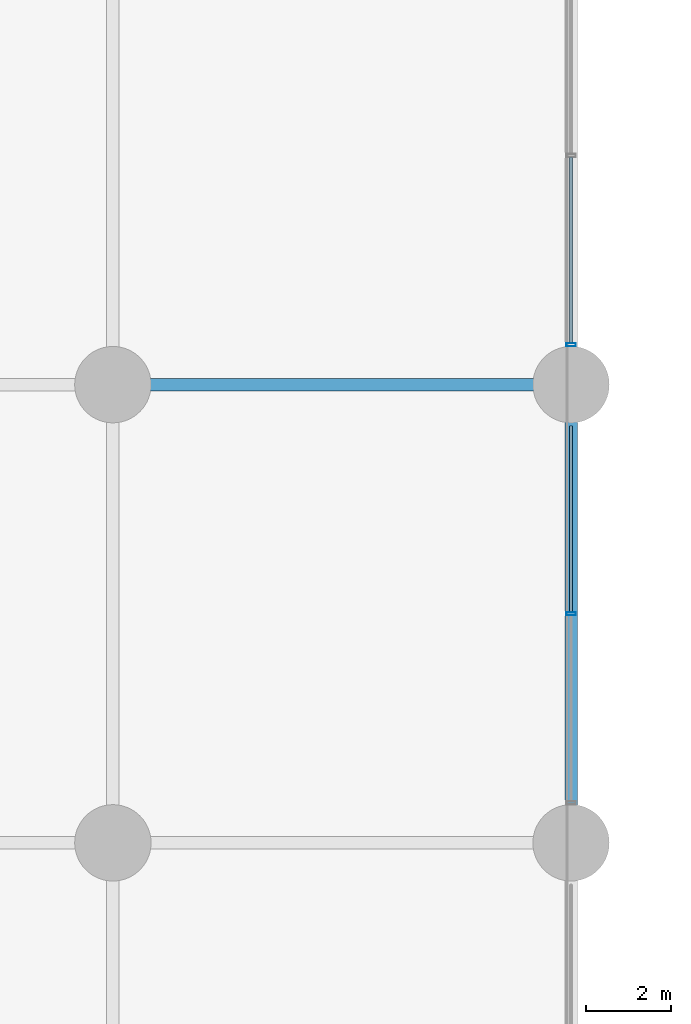
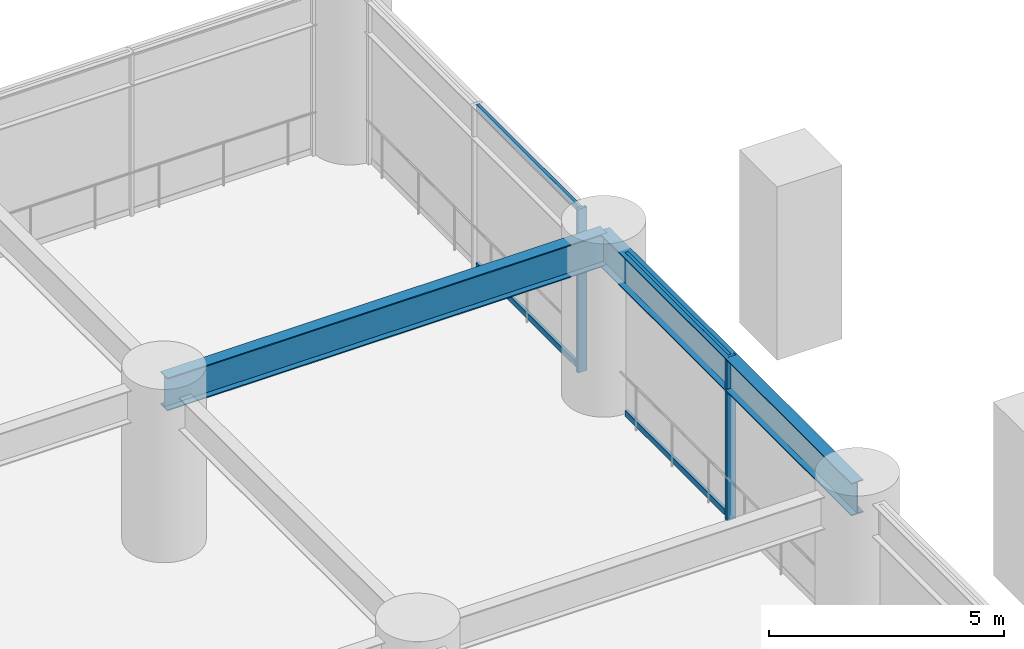
# One storey, part 20 of 31: 6 members, 2 beams, 1 element without a shape of its own.
"""IFC4 building model written with IfcOpenShell, lengths in metres."""

import ifcopenshell
import ifcopenshell.guid

model = None  # the IFC model being written
_history = None  # IfcOwnerHistory: only IFC2X3 demands one
_inside = {}  # id of a spatial element -> (the spatial element, [elements in it])
_under = {}  # id of a project, library or spatial element -> (it, [spatial elements below it])
_declared = {}  # id of a project -> (the project, [libraries it declares])
_typed = {}  # id of a type object -> (the type object, [elements of that type])
_made_of = {}  # id of a material, layer set ... -> (it, [elements and type objects made of it])


def new_model(schema):
    """Start an empty IFC model of exactly this schema.

    Asked for "IFC4X3", IfcOpenShell would pick the latest addendum, in which some entities
    have other attributes; the version numbers below select the first issue.
    IFC2X3 requires an IfcOwnerHistory on every rooted entity: one is made here for all.
    """
    global model, _history
    if schema == "IFC4X3":
        model = ifcopenshell.file(schema_version=(4, 3, 0, 0))
    else:
        model = ifcopenshell.file(schema=schema)
    _inside.clear()
    _under.clear()
    _declared.clear()
    _typed.clear()
    _made_of.clear()
    _history = None
    if model.schema == "IFC2X3":
        org = make("IfcOrganization", Name="unknown")
        user = make(
            "IfcPersonAndOrganization",
            ThePerson=make("IfcPerson", FamilyName="unknown"),
            TheOrganization=org,
        )
        app = make(
            "IfcApplication",
            ApplicationDeveloper=org,
            Version="unknown",
            ApplicationFullName="unknown",
            ApplicationIdentifier="unknown",
        )
        _history = make(
            "IfcOwnerHistory",
            OwningUser=user,
            OwningApplication=app,
            ChangeAction="ADDED",
            CreationDate=0,
        )
    return model


def make(cls, **values):
    """One entity of the class cls with the attributes given. An attribute that is None is left unset."""
    return model.create_entity(
        cls, **{name: value for name, value in values.items() if value is not None}
    )


def rooted(cls, **values):
    """An entity with a GlobalId (a new one), such as an element, a storey or a relation."""
    return make(cls, GlobalId=ifcopenshell.guid.new(), OwnerHistory=_history, **values)


def si_unit(unit_type, name, prefix=None):
    """IfcSIUnit, for example si_unit("LENGTHUNIT", "METRE", prefix="MILLI")."""
    return make("IfcSIUnit", UnitType=unit_type, Prefix=prefix, Name=name)


def assignment(units):
    """IfcUnitAssignment: the units of a project."""
    return None if units is None else make("IfcUnitAssignment", Units=units)


def point(xyz):
    """IfcCartesianPoint."""
    return None if xyz is None else make("IfcCartesianPoint", Coordinates=xyz)


def direction(xyz):
    """IfcDirection."""
    return None if xyz is None else make("IfcDirection", DirectionRatios=xyz)


def frame(location, z_axis=None, x_axis=None):
    """IfcAxis2Placement3D, a coordinate frame: its origin and axes. An axis left out is left unset."""
    return make(
        "IfcAxis2Placement3D",
        Location=point(location),
        Axis=direction(z_axis),
        RefDirection=direction(x_axis),
    )


def frame_2d(location, x_axis=None):
    """IfcAxis2Placement2D, a coordinate frame in the plane: its origin and x axis."""
    return make(
        "IfcAxis2Placement2D", Location=point(location), RefDirection=direction(x_axis)
    )


def origin():
    """The frame at (0, 0, 0) with its axes left unset."""
    return frame((0.0, 0.0, 0.0))


def origin_2d():
    """The frame at (0, 0) in the plane with its x axis left unset."""
    return frame_2d((0.0, 0.0))


def place(relative_to, where):
    """IfcLocalPlacement: puts the frame where relative to a parent placement (None: the world)."""
    return make(
        "IfcLocalPlacement", PlacementRelTo=relative_to, RelativePlacement=where
    )


def context(
    kind, dimensions, precision=None, world=None, true_north=None, identifier=None
):
    """IfcGeometricRepresentationContext, for example the 3D "Model" context."""
    return make(
        "IfcGeometricRepresentationContext",
        ContextIdentifier=identifier,
        ContextType=kind,
        CoordinateSpaceDimension=dimensions,
        Precision=precision,
        WorldCoordinateSystem=world,
        TrueNorth=true_north,
    )


def subcontext(parent, identifier, kind, view, scale=None):
    """IfcGeometricRepresentationSubContext, for example "Body" below "Model"."""
    return make(
        "IfcGeometricRepresentationSubContext",
        ContextIdentifier=identifier,
        ContextType=kind,
        ParentContext=parent,
        TargetScale=scale,
        TargetView=view,
    )


def project(units=None, contexts=None):
    """IfcProject with its units and contexts."""
    return rooted(
        "IfcProject",
        Name="project",
        RepresentationContexts=contexts,
        UnitsInContext=assignment(units),
    )


def spatial(cls, under=None, at=None, **own):
    """A site, building, storey or space (cls), placed at a placement, below another one or the project."""
    s = rooted(cls, ObjectPlacement=at, **own)
    if under is not None:
        _under.setdefault(under.id(), (under, []))[1].append(s)
    return s


def profile(cls, at=None, kind="AREA", **sizes):
    """A parametric profile (cls). Its sizes go by their IFC names, for example OverallWidth=200.0."""
    return make(cls, ProfileType=kind, Position=at, **sizes)


def hollow_rectangle(**sizes):
    """IfcRectangleHollowProfileDef."""
    return profile("IfcRectangleHollowProfileDef", **sizes)


def i_section(**sizes):
    """IfcIShapeProfileDef."""
    return profile("IfcIShapeProfileDef", **sizes)


def extrude(swept, where, along, depth):
    """IfcExtrudedAreaSolid: the profile swept, set in the frame where, extruded along a direction by depth."""
    return make(
        "IfcExtrudedAreaSolid",
        SweptArea=swept,
        Position=where,
        ExtrudedDirection=direction(along),
        Depth=depth,
    )


def shape(context_of_items, identifier, shape_type, items):
    """IfcShapeRepresentation: the items that make up one representation, for example the "Body"."""
    return make(
        "IfcShapeRepresentation",
        ContextOfItems=context_of_items,
        RepresentationIdentifier=identifier,
        RepresentationType=shape_type,
        Items=items,
    )


def material(Name=None, Category=None):
    """IfcMaterial."""
    return make("IfcMaterial", Name=Name, Category=Category)


def layer(
    of_material, thickness, ventilated=None, Name=None, Category=None, Priority=None
):
    """IfcMaterialLayer: one layer of a wall or slab, of a material (None: an air gap)."""
    return make(
        "IfcMaterialLayer",
        Material=of_material,
        LayerThickness=thickness,
        IsVentilated=ventilated,
        Name=Name,
        Category=Category,
        Priority=Priority,
    )


def layer_set(layers, Name=None):
    """IfcMaterialLayerSet."""
    return make("IfcMaterialLayerSet", MaterialLayers=layers, LayerSetName=Name)


def material_profile(
    of_material, cross_section, Name=None, Category=None, Priority=None
):
    """IfcMaterialProfile: a cross section and its material."""
    return make(
        "IfcMaterialProfile",
        Name=Name,
        Material=of_material,
        Profile=cross_section,
        Priority=Priority,
        Category=Category,
    )


def profile_set(profiles, Name=None, composite=None):
    """IfcMaterialProfileSet."""
    return make(
        "IfcMaterialProfileSet",
        Name=Name,
        MaterialProfiles=profiles,
        CompositeProfile=composite,
    )


def made_of(thing, what):
    """Note that an element or type object is made of a material, layer set ...; save() writes the relation."""
    if what is not None:
        _made_of.setdefault(what.id(), (what, []))[1].append(thing)
    return thing


def type_object(cls, material=None, **own):
    """A type object (cls), such as IfcWallType, which elements share."""
    return made_of(rooted(cls, **own), material)


def element(
    cls,
    number,
    at=None,
    inside=None,
    cuts=None,
    type_object=None,
    material=None,
    context=None,
    identifier="Body",
    shape_type=None,
    held_by="IfcProductDefinitionShape",
    body=None,
    shapes=None,
    **own,
):
    """One element of the class cls, such as IfcWall. Its Tag is "e" and its number.

    at: its placement. inside: the storey or other place that contains it. cuts: it is an
    opening in that element (IfcRelVoidsElement). A single representation is given by context,
    identifier, shape_type and body (its items); several are given by shapes. held_by: the class
    of the entity that holds the representations. save() writes the other relations.
    """
    e = rooted(cls, Tag="e%d" % number, ObjectPlacement=at, **own)
    if body is not None:
        shapes = [shape(context, identifier, shape_type, body)]
    if shapes is not None:
        e.Representation = make(held_by, Representations=shapes)
    if inside is not None:
        _inside.setdefault(inside.id(), (inside, []))[1].append(e)
    if cuts is not None:
        rooted(
            "IfcRelVoidsElement", RelatingBuildingElement=cuts, RelatedOpeningElement=e
        )
    if type_object is not None:
        _typed.setdefault(type_object.id(), (type_object, []))[1].append(e)
    return made_of(e, material)


def aggregate(whole, parts):
    """IfcRelAggregates: a whole, such as a stair, and the parts it consists of."""
    return rooted("IfcRelAggregates", RelatingObject=whole, RelatedObjects=parts)


def save(model, path):
    """Write the relations noted so far, then the file.

    IfcRelAggregates (storeys below a building ...), IfcRelContainedInSpatialStructure (elements
    in a storey), IfcRelDefinesByType, IfcRelAssociatesMaterial and IfcRelDeclares: one each for
    every whole, place, type object, material and project.
    """
    for whole, parts in _under.values():
        aggregate(whole, parts)
    for where, things in _inside.values():
        rooted(
            "IfcRelContainedInSpatialStructure",
            RelatedElements=things,
            RelatingStructure=where,
        )
    for kind, things in _typed.values():
        rooted("IfcRelDefinesByType", RelatedObjects=things, RelatingType=kind)
    for what, things in _made_of.values():
        rooted("IfcRelAssociatesMaterial", RelatedObjects=things, RelatingMaterial=what)
    for by, libraries in _declared.values():
        rooted("IfcRelDeclares", RelatingContext=by, RelatedDefinitions=libraries)
    model.write(path)


model = new_model("IFC4")

# Units and contexts
model_context = context("Model", 3, precision=1e-05, world=origin(), true_north=direction((0.0, 1.0)))
body_context = subcontext(model_context, "Body", "Model", "MODEL_VIEW")
ifc_project = project(units=[si_unit("LENGTHUNIT", "METRE"), si_unit("AREAUNIT", "SQUARE_METRE"), si_unit("VOLUMEUNIT", "CUBIC_METRE"), si_unit("PLANEANGLEUNIT", "RADIAN"), si_unit("MASSUNIT", "GRAM", prefix="KILO")], contexts=[model_context])

# Site, building, storey
site_placement = place(None, origin())
site = spatial("IfcSite", under=ifc_project, at=site_placement, CompositionType="ELEMENT")
building_placement = place(site_placement, origin())
building = spatial("IfcBuilding", under=site, at=building_placement, Name="Surkhivell Harbour Commons", CompositionType="ELEMENT")
storey_placement = place(building_placement, frame((0.0, 0.0, 4.5)))
storey = spatial("IfcBuildingStorey", under=building, at=storey_placement, Name="L01", CompositionType="ELEMENT", Elevation=4.5)

# Beams
ifc_material_1 = material(Name="Steel S460", Category="steel")
ifc_material_profile_1 = material_profile(ifc_material_1, i_section(OverallWidth=0.2939453125, OverallDepth=0.85107421875, WebThickness=0.01611328125, FlangeThickness=0.02685546875, at=origin_2d()), Name="UB838x292x226")
ifc_profile_set_1 = profile_set([ifc_material_profile_1], Name="Steel S460")
beam_type = type_object("IfcBeamType", Name="BM-SPN-838", PredefinedType="SPANDREL", material=ifc_profile_set_1)
beam_1_placement = place(storey_placement, frame((21.60009765625, 10.800048828125, 3.824462890625), z_axis=(1.0, 0.0, 0.0), x_axis=(0.0, 1.0, 0.0)))
element("IfcBeam", 1, at=beam_1_placement, inside=storey, type_object=beam_type, Name="L01 Framing Beam (21.6,10.8)", PredefinedType="SPANDREL", context=body_context, shape_type="SweptSolid", body=[
    extrude(i_section(OverallWidth=0.2939453125, OverallDepth=0.85107421875, WebThickness=0.01611328125, FlangeThickness=0.02685546875, at=origin_2d()), origin(), (0.0, 0.0, 1.0), 10.7998046875),
])
beam_2_placement = place(storey_placement, frame((32.39990234375, 0.0, 3.824462890625), z_axis=(0.0, 1.0, 0.0), x_axis=(-1.0, 0.0, 0.0)))
element("IfcBeam", 2, at=beam_2_placement, inside=storey, type_object=beam_type, Name="L01 Framing Beam (32.4,0.0)", PredefinedType="SPANDREL", context=body_context, shape_type="SweptSolid", body=[
    extrude(i_section(OverallWidth=0.2939453125, OverallDepth=0.85107421875, WebThickness=0.01611328125, FlangeThickness=0.02685546875, at=origin_2d()), origin(), (0.0, 0.0, 1.0), 10.800048828125),
])

# Curtain wall, members
ifc_material_2 = material(Name="Anodised pale-metal aluminium and insulated glazing", Category="aluminium")
ifc_layer = layer(ifc_material_2, 0.239990234375)
ifc_layer_set = layer_set([ifc_layer], Name="Anodised pale-metal aluminium and insulated glazing")
curtain_wall_type = type_object("IfcCurtainWallType", Name="CW-SYS-POD", PredefinedType="NOTDEFINED", material=ifc_layer_set)
curtain_wall_placement = place(storey_placement, origin())
curtain_wall = element("IfcCurtainWall", 3, at=curtain_wall_placement, inside=storey, type_object=curtain_wall_type, Name="L01 Curtain Wall CW-L01-P02", PredefinedType="NOTDEFINED")
ifc_material_3 = material(Name="Anodised pale-metal aluminium alloy 6063-T6", Category="aluminium")
ifc_material_profile_2 = material_profile(ifc_material_3, hollow_rectangle(XDim=0.074951171875, YDim=0.219970703125, WallThickness=0.00390625, at=origin_2d()), Name="ALU-MULL-75x220")
ifc_profile_set_2 = profile_set([ifc_material_profile_2], Name="Anodised pale-metal aluminium alloy 6063-T6")
member_type_1 = type_object("IfcMemberType", Name="CWM-220", PredefinedType="MULLION", material=ifc_profile_set_2)
member_1_placement = place(storey_placement, frame((32.39990234375, 5.39990234375, 0.0), z_axis=(0.0, 0.0, 1.0), x_axis=(0.0, 1.0, 0.0)))
member_1 = element("IfcMember", 4, at=member_1_placement, type_object=member_type_1, Name="CW-POD mullion 6", PredefinedType="MULLION", context=body_context, shape_type="SweptSolid", body=[
    extrude(hollow_rectangle(XDim=0.074951171875, YDim=0.219970703125, WallThickness=0.00390625, at=origin_2d()), origin(), (0.0, 0.0, 1.0), 4.25),
])
member_2_placement = place(storey_placement, frame((32.39990234375, 11.739501953125, 0.0), z_axis=(0.0, 0.0, 1.0), x_axis=(0.0, 1.0, 0.0)))
member_2 = element("IfcMember", 5, at=member_2_placement, type_object=member_type_1, Name="CW-POD mullion 7", PredefinedType="MULLION", context=body_context, shape_type="SweptSolid", body=[
    extrude(hollow_rectangle(XDim=0.074951171875, YDim=0.219970703125, WallThickness=0.00390625, at=origin_2d()), origin(), (0.0, 0.0, 1.0), 4.25),
])
ifc_material_profile_3 = material_profile(ifc_material_3, hollow_rectangle(XDim=0.074951171875, YDim=0.14990234375, WallThickness=0.00341796875, at=origin_2d()), Name="ALU-TRAN-75x150")
ifc_profile_set_3 = profile_set([ifc_material_profile_3], Name="Anodised pale-metal aluminium alloy 6063-T6")
member_type_2 = type_object("IfcMemberType", Name="CWT-150", PredefinedType="USERDEFINED", material=ifc_profile_set_3)
member_3_placement = place(storey_placement, frame((32.39990234375, 5.4375, 0.074951171875), z_axis=(0.0, 1.0, 0.0), x_axis=(-1.0, 0.0, 0.0)))
member_3 = element("IfcMember", 6, at=member_3_placement, type_object=member_type_2, Name="CW-POD transom 6.1", ObjectType="TRANSOM", PredefinedType="USERDEFINED", context=body_context, shape_type="SweptSolid", body=[
    extrude(hollow_rectangle(XDim=0.074951171875, YDim=0.14990234375, WallThickness=0.00341796875, at=origin_2d()), origin(), (0.0, 0.0, 1.0), 4.385498046875),
])
member_4_placement = place(storey_placement, frame((32.39990234375, 5.4375, 4.175048828125), z_axis=(0.0, 1.0, 0.0), x_axis=(-1.0, 0.0, 0.0)))
member_4 = element("IfcMember", 7, at=member_4_placement, type_object=member_type_2, Name="CW-POD transom 6.2", ObjectType="TRANSOM", PredefinedType="USERDEFINED", context=body_context, shape_type="SweptSolid", body=[
    extrude(hollow_rectangle(XDim=0.074951171875, YDim=0.14990234375, WallThickness=0.00341796875, at=origin_2d()), origin(), (0.0, 0.0, 1.0), 4.385498046875),
])
member_5_placement = place(storey_placement, frame((32.39990234375, 11.777099609375, 0.074951171875), z_axis=(0.0, 1.0, 0.0), x_axis=(-1.0, 0.0, 0.0)))
member_5 = element("IfcMember", 8, at=member_5_placement, type_object=member_type_2, Name="CW-POD transom 7.1", ObjectType="TRANSOM", PredefinedType="USERDEFINED", context=body_context, shape_type="SweptSolid", body=[
    extrude(hollow_rectangle(XDim=0.074951171875, YDim=0.14990234375, WallThickness=0.00341796875, at=origin_2d()), origin(), (0.0, 0.0, 1.0), 4.385498046875),
])
member_6_placement = place(storey_placement, frame((32.39990234375, 11.777099609375, 4.175048828125), z_axis=(0.0, 1.0, 0.0), x_axis=(-1.0, 0.0, 0.0)))
member_6 = element("IfcMember", 9, at=member_6_placement, type_object=member_type_2, Name="CW-POD transom 7.2", ObjectType="TRANSOM", PredefinedType="USERDEFINED", context=body_context, shape_type="SweptSolid", body=[
    extrude(hollow_rectangle(XDim=0.074951171875, YDim=0.14990234375, WallThickness=0.00341796875, at=origin_2d()), origin(), (0.0, 0.0, 1.0), 4.385498046875),
])
aggregate(curtain_wall, [member_1, member_3, member_4, member_2, member_5, member_6])

save(model, "model.ifc")
